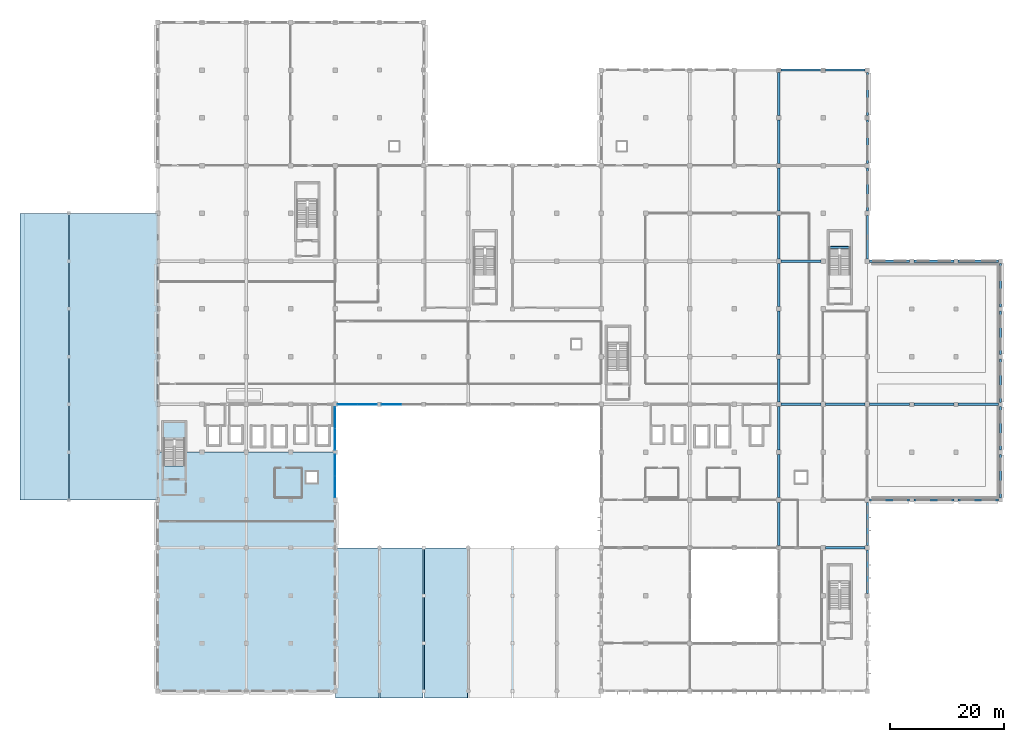
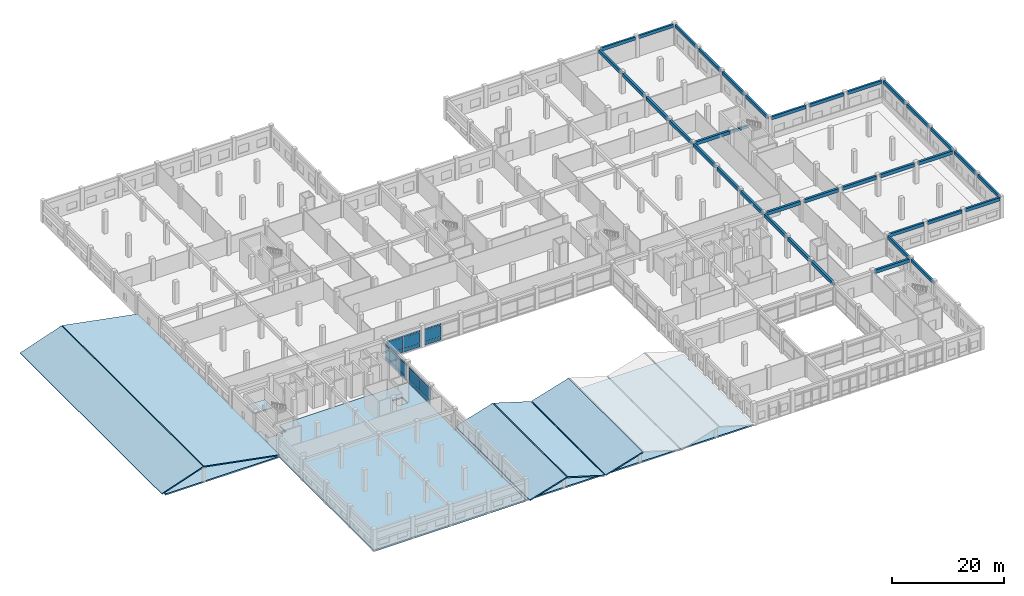
# One storey, part 35 of 62: 37 beams, 21 plates, 9 slabs, 5 elements without a shape of their own.
"""IFC4 building model written with IfcOpenShell, lengths in metres."""

from ifc_helpers import new_model, si_unit, direction, frame, origin, origin_2d, place, context, subcontext, project, spatial, polyline, rectangle, outline, extrude, material, layer, layer_set, material_profile, profile_set, type_object, element, aggregate, save


model = new_model("IFC4")

# Units and contexts
model_context = context("Model", 3, precision=1e-05, world=origin(), true_north=direction((0.0, 1.0)))
body_context = subcontext(model_context, "Body", "Model", "MODEL_VIEW")
ifc_project = project(units=[si_unit("LENGTHUNIT", "METRE"), si_unit("AREAUNIT", "SQUARE_METRE"), si_unit("VOLUMEUNIT", "CUBIC_METRE"), si_unit("PLANEANGLEUNIT", "RADIAN"), si_unit("MASSUNIT", "GRAM", prefix="KILO"), si_unit("THERMODYNAMICTEMPERATUREUNIT", "KELVIN"), si_unit("POWERUNIT", "WATT")], contexts=[model_context])

# Site, building, storey
site_placement = place(None, origin())
site = spatial("IfcSite", under=ifc_project, at=site_placement, CompositionType="ELEMENT")
building_placement = place(site_placement, origin())
building = spatial("IfcBuilding", under=site, at=building_placement, Name="Srebrne Nadtorze General Hospital", CompositionType="ELEMENT")
storey_placement = place(building_placement, frame((0.0, 0.0, 9.60009765625)))
storey = spatial("IfcBuildingStorey", under=building, at=storey_placement, Name="L02", CompositionType="ELEMENT", Elevation=9.60009765625)

# Beams
ifc_material_1 = material(Name="Concrete C40/50", Category="concrete")
ifc_material_profile_1 = material_profile(ifc_material_1, rectangle(XDim=0.39990234375, YDim=0.699951171875, at=origin_2d()), Name="RC-BM-400x700")
ifc_profile_set_1 = profile_set([ifc_material_profile_1], Name="Concrete C40/50")
beam_type_1 = type_object("IfcBeamType", Name="Edge beam RC 400x700", PredefinedType="BEAM", material=ifc_profile_set_1)
beam_1_placement = place(storey_placement, frame((148.60009765625, 33.60009765625, 4.14990234375), z_axis=(1.0, 0.0, 0.0), x_axis=(0.0, 1.0, 0.0)))
element("IfcBeam", 1, at=beam_1_placement, inside=storey, type_object=beam_type_1, Name="Beam BM-L02-X-0575", PredefinedType="BEAM", context=body_context, shape_type="SweptSolid", body=[
    extrude(rectangle(XDim=0.39990234375, YDim=0.699951171875, at=origin_2d()), origin(), (0.0, 0.0, 1.0), 7.02490234375),
])
for number, where, z_axis, x_axis, name in (
    (2, (156.375, 33.60009765625, 4.14990234375), (1.0, 0.0, 0.0), (0.0, 1.0, 0.0), "Beam BM-L02-X-0576"),
    (3, (164.175048828125, 33.60009765625, 4.14990234375), (1.0, 0.0, 0.0), (0.0, 1.0, 0.0), "Beam BM-L02-X-0577"),
):
    element("IfcBeam", number, at=place(storey_placement, frame(where, z_axis=z_axis, x_axis=x_axis)), inside=storey, type_object=beam_type_1, Name=name, PredefinedType="BEAM", context=body_context, shape_type="SweptSolid", body=[
        extrude(rectangle(XDim=0.39990234375, YDim=0.699951171875, at=origin_2d()), origin(), (0.0, 0.0, 1.0), 7.050048828125),
    ])
beam_2_placement = place(storey_placement, frame((148.60009765625, 75.60009765625, 4.14990234375), z_axis=(1.0, 0.0, 0.0), x_axis=(0.0, 1.0, 0.0)))
element("IfcBeam", 4, at=beam_2_placement, inside=storey, type_object=beam_type_1, Name="Beam BM-L02-X-0611", PredefinedType="BEAM", context=body_context, shape_type="SweptSolid", body=[
    extrude(rectangle(XDim=0.39990234375, YDim=0.699951171875, at=origin_2d()), origin(), (0.0, 0.0, 1.0), 7.02490234375),
])
for number, where, z_axis, x_axis, name in (
    (5, (156.375, 75.60009765625, 4.14990234375), (1.0, 0.0, 0.0), (0.0, 1.0, 0.0), "Beam BM-L02-X-0612"),
    (6, (164.175048828125, 75.60009765625, 4.14990234375), (1.0, 0.0, 0.0), (0.0, 1.0, 0.0), "Beam BM-L02-X-0613"),
):
    element("IfcBeam", number, at=place(storey_placement, frame(where, z_axis=z_axis, x_axis=x_axis)), inside=storey, type_object=beam_type_1, Name=name, PredefinedType="BEAM", context=body_context, shape_type="SweptSolid", body=[
        extrude(rectangle(XDim=0.39990234375, YDim=0.699951171875, at=origin_2d()), origin(), (0.0, 0.0, 1.0), 7.050048828125),
    ])
for number, where, z_axis, x_axis, name in (
    (7, (133.0, 109.199951171875, 4.14990234375), (1.0, 0.0, 0.0), (0.0, 1.0, 0.0), "Beam BM-L02-X-0622"),
    (8, (140.800048828125, 109.199951171875, 4.14990234375), (1.0, 0.0, 0.0), (0.0, 1.0, 0.0), "Beam BM-L02-X-0623"),
):
    element("IfcBeam", number, at=place(storey_placement, frame(where, z_axis=z_axis, x_axis=x_axis)), inside=storey, type_object=beam_type_1, Name=name, PredefinedType="BEAM", context=body_context, shape_type="SweptSolid", body=[
        extrude(rectangle(XDim=0.39990234375, YDim=0.699951171875, at=origin_2d()), origin(), (0.0, 0.0, 1.0), 7.0),
    ])
beam_3_placement = place(storey_placement, frame((148.199951171875, 17.199951171875, 4.14990234375), z_axis=(0.0, 1.0, 0.0), x_axis=(-1.0, 0.0, 0.0)))
element("IfcBeam", 9, at=beam_3_placement, inside=storey, type_object=beam_type_1, Name="Beam BM-L02-Y-0708", PredefinedType="BEAM", context=body_context, shape_type="SweptSolid", body=[
    extrude(rectangle(XDim=0.39990234375, YDim=0.699951171875, at=origin_2d()), origin(), (0.0, 0.0, 1.0), 7.60009765625),
])
beam_4_placement = place(storey_placement, frame((148.199951171875, 25.60009765625, 4.14990234375), z_axis=(0.0, 1.0, 0.0), x_axis=(-1.0, 0.0, 0.0)))
element("IfcBeam", 10, at=beam_4_placement, inside=storey, type_object=beam_type_1, Name="Beam BM-L02-Y-0709", PredefinedType="BEAM", context=body_context, shape_type="SweptSolid", body=[
    extrude(rectangle(XDim=0.39990234375, YDim=0.699951171875, at=origin_2d()), origin(), (0.0, 0.0, 1.0), 7.599853515625),
])
for number, where, z_axis, x_axis, name in (
    (11, (148.199951171875, 76.0, 4.14990234375), (0.0, 1.0, 0.0), (-1.0, 0.0, 0.0), "Beam BM-L02-Y-0710"),
    (12, (148.199951171875, 84.39990234375, 4.14990234375), (0.0, 1.0, 0.0), (-1.0, 0.0, 0.0), "Beam BM-L02-Y-0711"),
):
    element("IfcBeam", number, at=place(storey_placement, frame(where, z_axis=z_axis, x_axis=x_axis)), inside=storey, type_object=beam_type_1, Name=name, PredefinedType="BEAM", context=body_context, shape_type="SweptSolid", body=[
        extrude(rectangle(XDim=0.39990234375, YDim=0.699951171875, at=origin_2d()), origin(), (0.0, 0.0, 1.0), 7.60009765625),
    ])
beam_5_placement = place(storey_placement, frame((148.199951171875, 92.800048828125, 4.14990234375), z_axis=(0.0, 1.0, 0.0), x_axis=(-1.0, 0.0, 0.0)))
element("IfcBeam", 13, at=beam_5_placement, inside=storey, type_object=beam_type_1, Name="Beam BM-L02-Y-0712", PredefinedType="BEAM", context=body_context, shape_type="SweptSolid", body=[
    extrude(rectangle(XDim=0.39990234375, YDim=0.699951171875, at=origin_2d()), origin(), (0.0, 0.0, 1.0), 7.599853515625),
])
beam_6_placement = place(storey_placement, frame((148.199951171875, 101.199951171875, 4.14990234375), z_axis=(0.0, 1.0, 0.0), x_axis=(-1.0, 0.0, 0.0)))
element("IfcBeam", 14, at=beam_6_placement, inside=storey, type_object=beam_type_1, Name="Beam BM-L02-Y-0713", PredefinedType="BEAM", context=body_context, shape_type="SweptSolid", body=[
    extrude(rectangle(XDim=0.39990234375, YDim=0.699951171875, at=origin_2d()), origin(), (0.0, 0.0, 1.0), 7.60009765625),
])
for number, where, z_axis, x_axis, name in (
    (15, (171.60009765625, 33.97509765625, 4.14990234375), (0.0, 1.0, 0.0), (-1.0, 0.0, 0.0), "Beam BM-L02-Y-0714"),
    (16, (171.60009765625, 42.375, 4.14990234375), (0.0, 1.0, 0.0), (-1.0, 0.0, 0.0), "Beam BM-L02-Y-0715"),
):
    element("IfcBeam", number, at=place(storey_placement, frame(where, z_axis=z_axis, x_axis=x_axis)), inside=storey, type_object=beam_type_1, Name=name, PredefinedType="BEAM", context=body_context, shape_type="SweptSolid", body=[
        extrude(rectangle(XDim=0.39990234375, YDim=0.699951171875, at=origin_2d()), origin(), (0.0, 0.0, 1.0), 7.64990234375),
    ])
beam_7_placement = place(storey_placement, frame((171.60009765625, 50.77490234375, 4.14990234375), z_axis=(0.0, 1.0, 0.0), x_axis=(-1.0, 0.0, 0.0)))
element("IfcBeam", 17, at=beam_7_placement, inside=storey, type_object=beam_type_1, Name="Beam BM-L02-Y-0716", PredefinedType="BEAM", context=body_context, shape_type="SweptSolid", body=[
    extrude(rectangle(XDim=0.39990234375, YDim=0.699951171875, at=origin_2d()), origin(), (0.0, 0.0, 1.0), 7.650146484375),
])
beam_8_placement = place(storey_placement, frame((171.60009765625, 59.175048828125, 4.14990234375), z_axis=(0.0, 1.0, 0.0), x_axis=(-1.0, 0.0, 0.0)))
element("IfcBeam", 18, at=beam_8_placement, inside=storey, type_object=beam_type_1, Name="Beam BM-L02-Y-0717", PredefinedType="BEAM", context=body_context, shape_type="SweptSolid", body=[
    extrude(rectangle(XDim=0.39990234375, YDim=0.699951171875, at=origin_2d()), origin(), (0.0, 0.0, 1.0), 7.64990234375),
])
beam_9_placement = place(storey_placement, frame((171.60009765625, 67.574951171875, 4.14990234375), z_axis=(0.0, 1.0, 0.0), x_axis=(-1.0, 0.0, 0.0)))
element("IfcBeam", 19, at=beam_9_placement, inside=storey, type_object=beam_type_1, Name="Beam BM-L02-Y-0718", PredefinedType="BEAM", context=body_context, shape_type="SweptSolid", body=[
    extrude(rectangle(XDim=0.39990234375, YDim=0.699951171875, at=origin_2d()), origin(), (0.0, 0.0, 1.0), 7.650146484375),
])
ifc_material_2 = material(Name="Concrete C40/50", Category="concrete")
ifc_material_profile_2 = material_profile(ifc_material_2, rectangle(XDim=0.449951171875, YDim=0.75, at=origin_2d()), Name="RC-BM-450x750")
ifc_profile_set_2 = profile_set([ifc_material_profile_2], Name="Concrete C40/50")
beam_type_2 = type_object("IfcBeamType", Name="Primary beam RC 450x750", PredefinedType="BEAM", material=ifc_profile_set_2)
for number, where, z_axis, x_axis, name in (
    (20, (140.800048828125, 25.199951171875, 4.125), (1.0, 0.0, 0.0), (0.0, 1.0, 0.0), "Beam BM-L02-X-0574"),
    (21, (133.0, 50.39990234375, 4.125), (1.0, 0.0, 0.0), (0.0, 1.0, 0.0), "Beam BM-L02-X-0592"),
    (22, (140.800048828125, 50.39990234375, 4.125), (1.0, 0.0, 0.0), (0.0, 1.0, 0.0), "Beam BM-L02-X-0593"),
):
    element("IfcBeam", number, at=place(storey_placement, frame(where, z_axis=z_axis, x_axis=x_axis)), inside=storey, type_object=beam_type_2, Name=name, PredefinedType="BEAM", context=body_context, shape_type="SweptSolid", body=[
        extrude(rectangle(XDim=0.449951171875, YDim=0.75, at=origin_2d()), origin(), (0.0, 0.0, 1.0), 7.0),
    ])
beam_10_placement = place(storey_placement, frame((148.60009765625, 50.39990234375, 4.125), z_axis=(1.0, 0.0, 0.0), x_axis=(0.0, 1.0, 0.0)))
element("IfcBeam", 23, at=beam_10_placement, inside=storey, type_object=beam_type_2, Name="Beam BM-L02-X-0594", PredefinedType="BEAM", context=body_context, shape_type="SweptSolid", body=[
    extrude(rectangle(XDim=0.449951171875, YDim=0.75, at=origin_2d()), origin(), (0.0, 0.0, 1.0), 7.02490234375),
])
for number, where, z_axis, x_axis, name in (
    (24, (156.375, 50.39990234375, 4.125), (1.0, 0.0, 0.0), (0.0, 1.0, 0.0), "Beam BM-L02-X-0595"),
    (25, (164.175048828125, 50.39990234375, 4.125), (1.0, 0.0, 0.0), (0.0, 1.0, 0.0), "Beam BM-L02-X-0596"),
):
    element("IfcBeam", number, at=place(storey_placement, frame(where, z_axis=z_axis, x_axis=x_axis)), inside=storey, type_object=beam_type_2, Name=name, PredefinedType="BEAM", context=body_context, shape_type="SweptSolid", body=[
        extrude(rectangle(XDim=0.449951171875, YDim=0.75, at=origin_2d()), origin(), (0.0, 0.0, 1.0), 7.050048828125),
    ])
beam_11_placement = place(storey_placement, frame((133.0, 75.60009765625, 4.125), z_axis=(1.0, 0.0, 0.0), x_axis=(0.0, 1.0, 0.0)))
element("IfcBeam", 26, at=beam_11_placement, inside=storey, type_object=beam_type_2, Name="Beam BM-L02-X-0610", PredefinedType="BEAM", context=body_context, shape_type="SweptSolid", body=[
    extrude(rectangle(XDim=0.449951171875, YDim=0.75, at=origin_2d()), origin(), (0.0, 0.0, 1.0), 7.0),
])
beam_12_placement = place(storey_placement, frame((132.60009765625, 25.60009765625, 4.125), z_axis=(0.0, 1.0, 0.0), x_axis=(-1.0, 0.0, 0.0)))
element("IfcBeam", 27, at=beam_12_placement, inside=storey, type_object=beam_type_2, Name="Beam BM-L02-Y-0696", PredefinedType="BEAM", context=body_context, shape_type="SweptSolid", body=[
    extrude(rectangle(XDim=0.449951171875, YDim=0.75, at=origin_2d()), origin(), (0.0, 0.0, 1.0), 7.599853515625),
])
for number, where, z_axis, x_axis, name in (
    (28, (132.60009765625, 34.0, 4.125), (0.0, 1.0, 0.0), (-1.0, 0.0, 0.0), "Beam BM-L02-Y-0697"),
    (29, (132.60009765625, 42.39990234375, 4.125), (0.0, 1.0, 0.0), (-1.0, 0.0, 0.0), "Beam BM-L02-Y-0698"),
):
    element("IfcBeam", number, at=place(storey_placement, frame(where, z_axis=z_axis, x_axis=x_axis)), inside=storey, type_object=beam_type_2, Name=name, PredefinedType="BEAM", context=body_context, shape_type="SweptSolid", body=[
        extrude(rectangle(XDim=0.449951171875, YDim=0.75, at=origin_2d()), origin(), (0.0, 0.0, 1.0), 7.60009765625),
    ])
beam_13_placement = place(storey_placement, frame((132.60009765625, 50.800048828125, 4.125), z_axis=(0.0, 1.0, 0.0), x_axis=(-1.0, 0.0, 0.0)))
element("IfcBeam", 30, at=beam_13_placement, inside=storey, type_object=beam_type_2, Name="Beam BM-L02-Y-0699", PredefinedType="BEAM", context=body_context, shape_type="SweptSolid", body=[
    extrude(rectangle(XDim=0.449951171875, YDim=0.75, at=origin_2d()), origin(), (0.0, 0.0, 1.0), 7.599853515625),
])
beam_14_placement = place(storey_placement, frame((132.60009765625, 59.199951171875, 4.125), z_axis=(0.0, 1.0, 0.0), x_axis=(-1.0, 0.0, 0.0)))
element("IfcBeam", 31, at=beam_14_placement, inside=storey, type_object=beam_type_2, Name="Beam BM-L02-Y-0700", PredefinedType="BEAM", context=body_context, shape_type="SweptSolid", body=[
    extrude(rectangle(XDim=0.449951171875, YDim=0.75, at=origin_2d()), origin(), (0.0, 0.0, 1.0), 7.60009765625),
])
beam_15_placement = place(storey_placement, frame((132.60009765625, 67.60009765625, 4.125), z_axis=(0.0, 1.0, 0.0), x_axis=(-1.0, 0.0, 0.0)))
element("IfcBeam", 32, at=beam_15_placement, inside=storey, type_object=beam_type_2, Name="Beam BM-L02-Y-0701", PredefinedType="BEAM", context=body_context, shape_type="SweptSolid", body=[
    extrude(rectangle(XDim=0.449951171875, YDim=0.75, at=origin_2d()), origin(), (0.0, 0.0, 1.0), 7.599853515625),
])
for number, where, z_axis, x_axis, name in (
    (33, (132.60009765625, 76.0, 4.125), (0.0, 1.0, 0.0), (-1.0, 0.0, 0.0), "Beam BM-L02-Y-0702"),
    (34, (132.60009765625, 84.39990234375, 4.125), (0.0, 1.0, 0.0), (-1.0, 0.0, 0.0), "Beam BM-L02-Y-0703"),
):
    element("IfcBeam", number, at=place(storey_placement, frame(where, z_axis=z_axis, x_axis=x_axis)), inside=storey, type_object=beam_type_2, Name=name, PredefinedType="BEAM", context=body_context, shape_type="SweptSolid", body=[
        extrude(rectangle(XDim=0.449951171875, YDim=0.75, at=origin_2d()), origin(), (0.0, 0.0, 1.0), 7.60009765625),
    ])
beam_16_placement = place(storey_placement, frame((132.60009765625, 92.800048828125, 4.125), z_axis=(0.0, 1.0, 0.0), x_axis=(-1.0, 0.0, 0.0)))
element("IfcBeam", 35, at=beam_16_placement, inside=storey, type_object=beam_type_2, Name="Beam BM-L02-Y-0704", PredefinedType="BEAM", context=body_context, shape_type="SweptSolid", body=[
    extrude(rectangle(XDim=0.449951171875, YDim=0.75, at=origin_2d()), origin(), (0.0, 0.0, 1.0), 7.599853515625),
])
beam_17_placement = place(storey_placement, frame((132.60009765625, 101.199951171875, 4.125), z_axis=(0.0, 1.0, 0.0), x_axis=(-1.0, 0.0, 0.0)))
element("IfcBeam", 36, at=beam_17_placement, inside=storey, type_object=beam_type_2, Name="Beam BM-L02-Y-0705", PredefinedType="BEAM", context=body_context, shape_type="SweptSolid", body=[
    extrude(rectangle(XDim=0.449951171875, YDim=0.75, at=origin_2d()), origin(), (0.0, 0.0, 1.0), 7.60009765625),
])
ifc_material_3 = material(Name="Concrete C35/45", Category="concrete")
ifc_material_profile_3 = material_profile(ifc_material_3, rectangle(XDim=0.35009765625, YDim=0.550048828125, at=origin_2d()), Name="RC-BM-350x550")
ifc_profile_set_3 = profile_set([ifc_material_profile_3], Name="Concrete C35/45")
beam_type_3 = type_object("IfcBeamType", Name="Spandrel lintel beam RC 350x550", PredefinedType="LINTEL", material=ifc_profile_set_3)
beam_18_placement = place(storey_placement, frame((141.449951171875, 78.0, 2.125), z_axis=(1.0, 0.0, 0.0), x_axis=(0.0, 1.0, 0.0)))
element("IfcBeam", 37, at=beam_18_placement, inside=storey, type_object=beam_type_3, Name="Stair landing header beam ST-04 L02", PredefinedType="LINTEL", context=body_context, shape_type="SweptSolid", body=[
    extrude(rectangle(XDim=0.35009765625, YDim=0.550048828125, at=origin_2d()), origin(), (0.0, 0.0, 1.0), 3.75),
])

# Slabs
ifc_material_4 = material(Name="Concrete C40/50", Category="concrete")
ifc_layer_1 = layer(ifc_material_4, 0.239990234375)
ifc_layer_set_1 = layer_set([ifc_layer_1], Name="Concrete C40/50")
slab_type_1 = type_object("IfcSlabType", Name="Folded plate roof slab 240", PredefinedType="ROOF", material=ifc_layer_set_1)
for number, where, z_axis, x_axis, name in (
    (38, (54.7099609375, -1.199951171875, 0.653564453125), (-0.291827183192, 0.0, 0.956471063415), (0.956471063415, 0.0, 0.291827183192), "Folded plate roof slab 01"),
    (39, (62.510009765625, -1.199951171875, 2.96630859375), (0.291827183192, 0.0, 0.956471063415), (0.956471063415, 0.0, -0.291827183192), "Folded plate roof slab 02"),
):
    element("IfcSlab", number, at=place(storey_placement, frame(where, z_axis=z_axis, x_axis=x_axis)), inside=storey, type_object=slab_type_1, Name=name, PredefinedType="ROOF", context=body_context, shape_type="SweptSolid", body=[
        extrude(outline(polyline([(0.0, 0.0), (7.925046992989934, 0.0), (7.925046992989934, 26.39990234375), (0.0, 26.39990234375), (0.0, 0.0)])), origin(), (0.0, 0.0, -1.0), 0.239990234375),
    ])
slab_1_placement = place(storey_placement, frame((70.31005859375, -1.199951171875, 0.653564453125), z_axis=(-0.291835782192, 0.0, 0.956468439747), x_axis=(0.956468439747, 0.0, 0.291835782192)))
element("IfcSlab", 40, at=slab_1_placement, inside=storey, type_object=slab_type_1, Name="Folded plate roof slab 03", PredefinedType="ROOF", context=body_context, shape_type="SweptSolid", body=[
    extrude(outline(polyline([(0.0, 0.0), (7.924813479866985, 0.0), (7.924813479866985, 26.39990234375), (0.0, 26.39990234375), (0.0, 0.0)])), origin(), (0.0, 0.0, -1.0), 0.239990234375),
])

# Curtain wall, plates
ifc_material_5 = material(Name="Anodised Aluminium", Category="aluminium")
curtain_wall_type_1 = type_object("IfcCurtainWallType", Name="Unitised curtain wall 7025x3800", PredefinedType="NOTDEFINED", material=ifc_material_5)
curtain_wall_1_placement = place(storey_placement, origin())
curtain_wall_1 = element("IfcCurtainWall", 41, at=curtain_wall_1_placement, inside=storey, type_object=curtain_wall_type_1, Name="Curtain wall CW-076", PredefinedType="NOTDEFINED")
ifc_material_6 = material(Name="Triple Low-E Glazing", Category="glass")
ifc_layer_2 = layer(ifc_material_6, 0.050048828125)
ifc_layer_set_2 = layer_set([ifc_layer_2], Name="Triple Low-E Glazing")
plate_type = type_object("IfcPlateType", Name="Glazed curtain panel 50", PredefinedType="CURTAIN_PANEL", material=ifc_layer_set_2)
plate_1_placement = place(storey_placement, frame((56.771240234375, 50.39990234375, 0.06005859375), z_axis=(0.0, 0.0, 1.0), x_axis=(1.0, 0.0, 0.0)))
plate_1 = element("IfcPlate", 42, at=plate_1_placement, type_object=plate_type, Name="CW-076 panel 1.1", PredefinedType="CURTAIN_PANEL", context=body_context, shape_type="SweptSolid", body=[
    extrude(rectangle(XDim=3.422607421875, YDim=0.050048828125, at=origin_2d()), origin(), (0.0, 0.0, 1.0), 0.760009765625),
])
plate_2_placement = place(storey_placement, frame((56.771240234375, 50.39990234375, 0.8798828125), z_axis=(0.0, 0.0, 1.0), x_axis=(1.0, 0.0, 0.0)))
plate_2 = element("IfcPlate", 43, at=plate_2_placement, type_object=plate_type, Name="CW-076 panel 1.2", PredefinedType="CURTAIN_PANEL", context=body_context, shape_type="SweptSolid", body=[
    extrude(rectangle(XDim=3.422607421875, YDim=0.050048828125, at=origin_2d()), origin(), (0.0, 0.0, 1.0), 2.389892578125),
])
plate_3_placement = place(storey_placement, frame((56.771240234375, 50.39990234375, 3.330078125), z_axis=(0.0, 0.0, 1.0), x_axis=(1.0, 0.0, 0.0)))
plate_3 = element("IfcPlate", 44, at=plate_3_placement, type_object=plate_type, Name="CW-076 panel 1.3", PredefinedType="CURTAIN_PANEL", context=body_context, shape_type="SweptSolid", body=[
    extrude(rectangle(XDim=3.422607421875, YDim=0.050048828125, at=origin_2d()), origin(), (0.0, 0.0, 1.0), 0.409912109375),
])
plate_4_placement = place(storey_placement, frame((60.253662109375, 50.39990234375, 0.06005859375), z_axis=(0.0, 0.0, 1.0), x_axis=(1.0, 0.0, 0.0)))
plate_4 = element("IfcPlate", 45, at=plate_4_placement, type_object=plate_type, Name="CW-076 panel 2.1", PredefinedType="CURTAIN_PANEL", context=body_context, shape_type="SweptSolid", body=[
    extrude(rectangle(XDim=3.422607421875, YDim=0.050048828125, at=origin_2d()), origin(), (0.0, 0.0, 1.0), 0.760009765625),
])
plate_5_placement = place(storey_placement, frame((60.253662109375, 50.39990234375, 0.8798828125), z_axis=(0.0, 0.0, 1.0), x_axis=(1.0, 0.0, 0.0)))
plate_5 = element("IfcPlate", 46, at=plate_5_placement, type_object=plate_type, Name="CW-076 panel 2.2", PredefinedType="CURTAIN_PANEL", context=body_context, shape_type="SweptSolid", body=[
    extrude(rectangle(XDim=3.422607421875, YDim=0.050048828125, at=origin_2d()), origin(), (0.0, 0.0, 1.0), 2.389892578125),
])
plate_6_placement = place(storey_placement, frame((60.253662109375, 50.39990234375, 3.330078125), z_axis=(0.0, 0.0, 1.0), x_axis=(1.0, 0.0, 0.0)))
plate_6 = element("IfcPlate", 47, at=plate_6_placement, type_object=plate_type, Name="CW-076 panel 2.3", PredefinedType="CURTAIN_PANEL", context=body_context, shape_type="SweptSolid", body=[
    extrude(rectangle(XDim=3.422607421875, YDim=0.050048828125, at=origin_2d()), origin(), (0.0, 0.0, 1.0), 0.409912109375),
])
aggregate(curtain_wall_1, [plate_1, plate_2, plate_3, plate_4, plate_5, plate_6])

ifc_material_7 = material(Name="Anodised Aluminium", Category="aluminium")
curtain_wall_type_2 = type_object("IfcCurtainWallType", Name="Unitised curtain wall 7050x3800", PredefinedType="NOTDEFINED", material=ifc_material_7)
curtain_wall_2_placement = place(storey_placement, origin())
curtain_wall_2 = element("IfcCurtainWall", 48, at=curtain_wall_2_placement, inside=storey, type_object=curtain_wall_type_2, Name="Curtain wall CW-077", PredefinedType="NOTDEFINED")
plate_7_placement = place(storey_placement, frame((64.5537109375, 50.39990234375, 0.06494140625), z_axis=(0.0, 0.0, 1.0), x_axis=(1.0, 0.0, 0.0)))
plate_7 = element("IfcPlate", 49, at=plate_7_placement, type_object=plate_type, Name="CW-077 panel 1.1", PredefinedType="CURTAIN_PANEL", context=body_context, shape_type="SweptSolid", body=[
    extrude(rectangle(XDim=3.427490234375, YDim=0.050048828125, at=origin_2d()), origin(), (0.0, 0.0, 1.0), 0.75244140625),
])
plate_8_placement = place(storey_placement, frame((64.5537109375, 50.39990234375, 0.88232421875), z_axis=(0.0, 0.0, 1.0), x_axis=(1.0, 0.0, 0.0)))
plate_8 = element("IfcPlate", 50, at=plate_8_placement, type_object=plate_type, Name="CW-077 panel 1.2", PredefinedType="CURTAIN_PANEL", context=body_context, shape_type="SweptSolid", body=[
    extrude(rectangle(XDim=3.427490234375, YDim=0.050048828125, at=origin_2d()), origin(), (0.0, 0.0, 1.0), 2.385009765625),
])
plate_9_placement = place(storey_placement, frame((64.5537109375, 50.39990234375, 3.33251953125), z_axis=(0.0, 0.0, 1.0), x_axis=(1.0, 0.0, 0.0)))
plate_9 = element("IfcPlate", 51, at=plate_9_placement, type_object=plate_type, Name="CW-077 panel 1.3", PredefinedType="CURTAIN_PANEL", context=body_context, shape_type="SweptSolid", body=[
    extrude(rectangle(XDim=3.427490234375, YDim=0.050048828125, at=origin_2d()), origin(), (0.0, 0.0, 1.0), 0.402587890625),
])
aggregate(curtain_wall_2, [plate_7, plate_8, plate_9])

ifc_material_8 = material(Name="Anodised Aluminium", Category="aluminium")
curtain_wall_type_3 = type_object("IfcCurtainWallType", Name="Unitised curtain wall 7600x3800", PredefinedType="NOTDEFINED", material=ifc_material_8)
curtain_wall_3_placement = place(storey_placement, origin())
curtain_wall_3 = element("IfcCurtainWall", 52, at=curtain_wall_3_placement, inside=storey, type_object=curtain_wall_type_3, Name="Curtain wall CW-082", PredefinedType="NOTDEFINED")
plate_10_placement = place(storey_placement, frame((54.60009765625, 35.9150390625, 0.06005859375), z_axis=(0.0, 0.0, 1.0), x_axis=(0.0, 1.0, 0.0)))
plate_10 = element("IfcPlate", 53, at=plate_10_placement, type_object=plate_type, Name="CW-082 panel 1.1", PredefinedType="CURTAIN_PANEL", context=body_context, shape_type="SweptSolid", body=[
    extrude(rectangle(XDim=3.7099609375, YDim=0.050048828125, at=origin_2d()), origin(), (0.0, 0.0, 1.0), 0.760009765625),
])
plate_11_placement = place(storey_placement, frame((54.60009765625, 35.9150390625, 0.8798828125), z_axis=(0.0, 0.0, 1.0), x_axis=(0.0, 1.0, 0.0)))
plate_11 = element("IfcPlate", 54, at=plate_11_placement, type_object=plate_type, Name="CW-082 panel 1.2", PredefinedType="CURTAIN_PANEL", context=body_context, shape_type="SweptSolid", body=[
    extrude(rectangle(XDim=3.7099609375, YDim=0.050048828125, at=origin_2d()), origin(), (0.0, 0.0, 1.0), 2.389892578125),
])
plate_12_placement = place(storey_placement, frame((54.60009765625, 35.9150390625, 3.330078125), z_axis=(0.0, 0.0, 1.0), x_axis=(0.0, 1.0, 0.0)))
plate_12 = element("IfcPlate", 55, at=plate_12_placement, type_object=plate_type, Name="CW-082 panel 1.3", PredefinedType="CURTAIN_PANEL", context=body_context, shape_type="SweptSolid", body=[
    extrude(rectangle(XDim=3.7099609375, YDim=0.050048828125, at=origin_2d()), origin(), (0.0, 0.0, 1.0), 0.409912109375),
])
plate_13_placement = place(storey_placement, frame((54.60009765625, 39.68505859375, 0.06005859375), z_axis=(0.0, 0.0, 1.0), x_axis=(0.0, 1.0, 0.0)))
plate_13 = element("IfcPlate", 56, at=plate_13_placement, type_object=plate_type, Name="CW-082 panel 2.1", PredefinedType="CURTAIN_PANEL", context=body_context, shape_type="SweptSolid", body=[
    extrude(rectangle(XDim=3.7099609375, YDim=0.050048828125, at=origin_2d()), origin(), (0.0, 0.0, 1.0), 0.760009765625),
])
plate_14_placement = place(storey_placement, frame((54.60009765625, 39.68505859375, 0.8798828125), z_axis=(0.0, 0.0, 1.0), x_axis=(0.0, 1.0, 0.0)))
plate_14 = element("IfcPlate", 57, at=plate_14_placement, type_object=plate_type, Name="CW-082 panel 2.2", PredefinedType="CURTAIN_PANEL", context=body_context, shape_type="SweptSolid", body=[
    extrude(rectangle(XDim=3.7099609375, YDim=0.050048828125, at=origin_2d()), origin(), (0.0, 0.0, 1.0), 2.389892578125),
])
plate_15_placement = place(storey_placement, frame((54.60009765625, 39.68505859375, 3.330078125), z_axis=(0.0, 0.0, 1.0), x_axis=(0.0, 1.0, 0.0)))
plate_15 = element("IfcPlate", 58, at=plate_15_placement, type_object=plate_type, Name="CW-082 panel 2.3", PredefinedType="CURTAIN_PANEL", context=body_context, shape_type="SweptSolid", body=[
    extrude(rectangle(XDim=3.7099609375, YDim=0.050048828125, at=origin_2d()), origin(), (0.0, 0.0, 1.0), 0.409912109375),
])
aggregate(curtain_wall_3, [plate_10, plate_11, plate_12, plate_13, plate_14, plate_15])

curtain_wall_4_placement = place(storey_placement, origin())
curtain_wall_4 = element("IfcCurtainWall", 59, at=curtain_wall_4_placement, inside=storey, type_object=curtain_wall_type_3, Name="Curtain wall CW-083", PredefinedType="NOTDEFINED")
plate_16_placement = place(storey_placement, frame((54.60009765625, 44.316162109375, 0.06494140625), z_axis=(0.0, 0.0, 1.0), x_axis=(0.0, 1.0, 0.0)))
plate_16 = element("IfcPlate", 60, at=plate_16_placement, type_object=plate_type, Name="CW-083 panel 1.1", PredefinedType="CURTAIN_PANEL", context=body_context, shape_type="SweptSolid", body=[
    extrude(rectangle(XDim=3.702392578125, YDim=0.050048828125, at=origin_2d()), origin(), (0.0, 0.0, 1.0), 0.75244140625),
])
plate_17_placement = place(storey_placement, frame((54.60009765625, 44.316162109375, 0.88232421875), z_axis=(0.0, 0.0, 1.0), x_axis=(0.0, 1.0, 0.0)))
plate_17 = element("IfcPlate", 61, at=plate_17_placement, type_object=plate_type, Name="CW-083 panel 1.2", PredefinedType="CURTAIN_PANEL", context=body_context, shape_type="SweptSolid", body=[
    extrude(rectangle(XDim=3.702392578125, YDim=0.050048828125, at=origin_2d()), origin(), (0.0, 0.0, 1.0), 2.385009765625),
])
plate_18_placement = place(storey_placement, frame((54.60009765625, 44.316162109375, 3.33251953125), z_axis=(0.0, 0.0, 1.0), x_axis=(0.0, 1.0, 0.0)))
plate_18 = element("IfcPlate", 62, at=plate_18_placement, type_object=plate_type, Name="CW-083 panel 1.3", PredefinedType="CURTAIN_PANEL", context=body_context, shape_type="SweptSolid", body=[
    extrude(rectangle(XDim=3.702392578125, YDim=0.050048828125, at=origin_2d()), origin(), (0.0, 0.0, 1.0), 0.402587890625),
])
plate_19_placement = place(storey_placement, frame((54.60009765625, 48.083740234375, 0.06494140625), z_axis=(0.0, 0.0, 1.0), x_axis=(0.0, 1.0, 0.0)))
plate_19 = element("IfcPlate", 63, at=plate_19_placement, type_object=plate_type, Name="CW-083 panel 2.1", PredefinedType="CURTAIN_PANEL", context=body_context, shape_type="SweptSolid", body=[
    extrude(rectangle(XDim=3.702392578125, YDim=0.050048828125, at=origin_2d()), origin(), (0.0, 0.0, 1.0), 0.75244140625),
])
plate_20_placement = place(storey_placement, frame((54.60009765625, 48.083740234375, 0.88232421875), z_axis=(0.0, 0.0, 1.0), x_axis=(0.0, 1.0, 0.0)))
plate_20 = element("IfcPlate", 64, at=plate_20_placement, type_object=plate_type, Name="CW-083 panel 2.2", PredefinedType="CURTAIN_PANEL", context=body_context, shape_type="SweptSolid", body=[
    extrude(rectangle(XDim=3.702392578125, YDim=0.050048828125, at=origin_2d()), origin(), (0.0, 0.0, 1.0), 2.385009765625),
])
plate_21_placement = place(storey_placement, frame((54.60009765625, 48.083740234375, 3.33251953125), z_axis=(0.0, 0.0, 1.0), x_axis=(0.0, 1.0, 0.0)))
plate_21 = element("IfcPlate", 65, at=plate_21_placement, type_object=plate_type, Name="CW-083 panel 2.3", PredefinedType="CURTAIN_PANEL", context=body_context, shape_type="SweptSolid", body=[
    extrude(rectangle(XDim=3.702392578125, YDim=0.050048828125, at=origin_2d()), origin(), (0.0, 0.0, 1.0), 0.402587890625),
])
aggregate(curtain_wall_4, [plate_16, plate_17, plate_18, plate_19, plate_20, plate_21])

# Slabs
ifc_material_9 = material(Name="Concrete C35/45", Category="concrete")
ifc_layer_3 = layer(ifc_material_9, 0.300048828125)
ifc_layer_set_3 = layer_set([ifc_layer_3], Name="Concrete C35/45")
slab_type_2 = type_object("IfcSlabType", Name="Main roof slab 300", PredefinedType="ROOF", material=ifc_layer_set_3)
slab_2_placement = place(storey_placement, frame((0.0, 0.0, -0.300048828125)))
element("IfcSlab", 66, at=slab_2_placement, inside=storey, type_object=slab_type_2, Name="Volume ceiling roof slab RF-L01-01", PredefinedType="ROOF", context=body_context, shape_type="SweptSolid", body=[
    extrude(outline(polyline([(23.39990234375, 33.60009765625), (23.39990234375, 84.0), (0.0, 84.0), (0.0, 33.60009765625), (23.39990234375, 33.60009765625)])), origin(), (0.0, 0.0, 1.0), 0.300048828125),
])
slab_3_placement = place(storey_placement, frame((0.0, 0.0, -0.300048828125)))
element("IfcSlab", 67, at=slab_3_placement, inside=storey, type_object=slab_type_2, Name="Volume ceiling roof slab RF-L01-02", PredefinedType="ROOF", context=body_context, shape_type="SweptSolid", body=[
    extrude(outline(polyline([(101.39990234375, 0.0), (101.39990234375, 25.199951171875), (54.60009765625, 25.199951171875), (54.60009765625, 0.0), (101.39990234375, 0.0)])), origin(), (0.0, 0.0, 1.0), 0.300048828125),
])
ifc_material_10 = material(Name="Concrete C35/45", Category="concrete")
ifc_layer_4 = layer(ifc_material_10, 0.219970703125)
ifc_layer_set_4 = layer_set([ifc_layer_4], Name="Concrete C35/45")
slab_type_3 = type_object("IfcSlabType", Name="Pitched pavilion roof slab 220", PredefinedType="ROOF", material=ifc_layer_set_4)
slab_4_placement = place(storey_placement, frame((-0.800048828125, 33.60009765625, 0.349853515625), z_axis=(-0.324226606776, 0.0, 0.945979443465), x_axis=(0.945979443465, 0.0, 0.324226606776)))
element("IfcSlab", 68, at=slab_4_placement, inside=storey, type_object=slab_type_3, Name="Emergency pavilion pitched roof slab RF-RP-EMG-W", PredefinedType="ROOF", context=body_context, shape_type="SweptSolid", body=[
    extrude(outline(polyline([(0.0, 0.0), (9.006558852952256, 0.0), (9.006558852952256, 50.39990234375), (0.0, 50.39990234375), (0.0, 0.0)])), origin(), (0.0, 0.0, -1.0), 0.219970703125),
])
slab_5_placement = place(storey_placement, frame((7.8798828125, 33.60009765625, 3.27978515625), z_axis=(0.185507272892, 0.0, 0.98264289124), x_axis=(0.98264289124, 0.0, -0.185507272892)))
element("IfcSlab", 69, at=slab_5_placement, inside=storey, type_object=slab_type_3, Name="Emergency pavilion pitched roof slab RF-RP-EMG-E", PredefinedType="ROOF", context=body_context, shape_type="SweptSolid", body=[
    extrude(outline(polyline([(0.0, 0.0), (15.794160492698463, 0.0), (15.794160492698463, 50.39990234375), (0.0, 50.39990234375), (0.0, 0.0)])), origin(), (0.0, 0.0, -1.0), 0.219970703125),
])

# Stair, slab
ifc_material_11 = material(Name="Concrete C35/45", Category="concrete")
stair_type = type_object("IfcStairType", Name="Dog-leg escape stair 480", PredefinedType="HALF_TURN_STAIR", material=ifc_material_11)
stair_placement = place(storey_placement, origin())
stair = element("IfcStair", 70, at=stair_placement, inside=storey, type_object=stair_type, Name="Escape stair ST-01-L02", PredefinedType="HALF_TURN_STAIR")
ifc_material_12 = material(Name="Concrete C35/45", Category="concrete")
ifc_layer_5 = layer(ifc_material_12, 0.219970703125)
ifc_layer_set_5 = layer_set([ifc_layer_5], Name="Concrete C35/45")
slab_type_4 = type_object("IfcSlabType", Name="Stair landing slab 220", PredefinedType="LANDING", material=ifc_layer_set_5)
slab_6_placement = place(storey_placement, frame((0.0, 0.0, 2.179931640625)))
slab_6 = element("IfcSlab", 71, at=slab_6_placement, type_object=slab_type_4, Name="ST-01 landing 1", PredefinedType="LANDING", context=body_context, shape_type="SweptSolid", body=[
    extrude(outline(polyline([(24.449951171875, 44.39990234375), (28.199951171875, 44.39990234375), (28.199951171875, 47.199951171875), (24.449951171875, 47.199951171875), (24.449951171875, 44.39990234375)])), origin(), (0.0, 0.0, 1.0), 0.219970703125),
])
aggregate(stair, [slab_6])

# Slab
ifc_material_13 = material(Name="Concrete C35/45", Category="concrete")
ifc_layer_6 = layer(ifc_material_13, 0.35009765625)
ifc_layer_set_6 = layer_set([ifc_layer_6], Name="Concrete C35/45")
slab_type_5 = type_object("IfcSlabType", Name="Suspended floor slab 350", PredefinedType="FLOOR", material=ifc_layer_set_6)
slab_7_placement = place(storey_placement, frame((0.0, 0.0, -0.35009765625)))
element("IfcSlab", 72, at=slab_7_placement, inside=storey, type_object=slab_type_5, Name="Suspended floor slab SL-L02-WS", PredefinedType="FLOOR", context=body_context, shape_type="SweptSolid", body=[
    extrude(outline(polyline([(28.199951171875, 42.0), (28.199951171875, 39.60498046875), (24.449951171875, 39.60498046875), (24.449951171875, 42.0), (23.39990234375, 42.0), (23.39990234375, 0.0), (54.60009765625, 0.0), (54.60009765625, 42.0), (28.199951171875, 42.0)]), holes=[polyline([(51.5, 36.60009765625), (49.5, 36.60009765625), (49.5, 38.60009765625), (51.5, 38.60009765625), (51.5, 36.60009765625)])]), origin(), (0.0, 0.0, 1.0), 0.35009765625),
])

save(model, "model.ifc")
